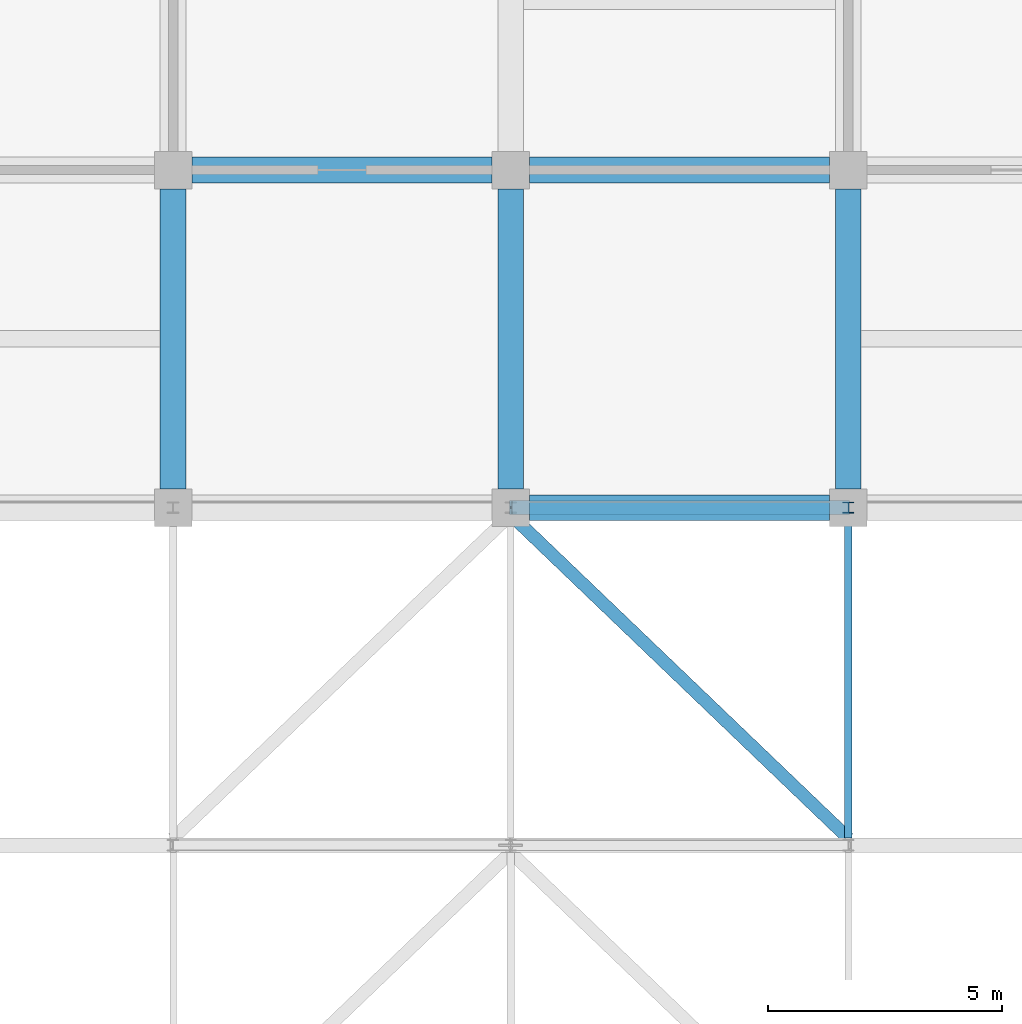
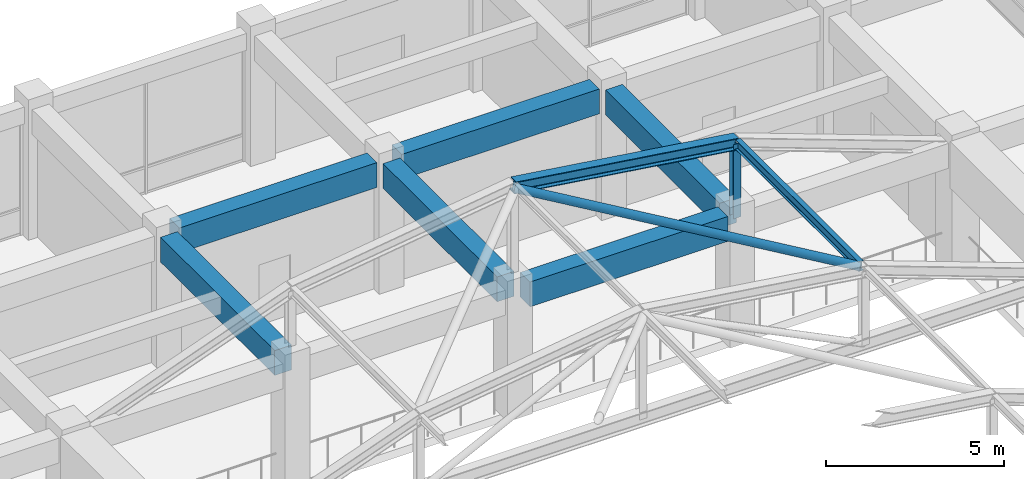
# One storey, part 44 of 75: 6 beams, 4 members.
"""IFC4 building model written with IfcOpenShell, lengths in metres."""

import ifcopenshell
import ifcopenshell.guid

model = None  # the IFC model being written
_history = None  # IfcOwnerHistory: only IFC2X3 demands one
_inside = {}  # id of a spatial element -> (the spatial element, [elements in it])
_under = {}  # id of a project, library or spatial element -> (it, [spatial elements below it])
_declared = {}  # id of a project -> (the project, [libraries it declares])
_typed = {}  # id of a type object -> (the type object, [elements of that type])
_made_of = {}  # id of a material, layer set ... -> (it, [elements and type objects made of it])


def new_model(schema):
    """Start an empty IFC model of exactly this schema.

    Asked for "IFC4X3", IfcOpenShell would pick the latest addendum, in which some entities
    have other attributes; the version numbers below select the first issue.
    IFC2X3 requires an IfcOwnerHistory on every rooted entity: one is made here for all.
    """
    global model, _history
    if schema == "IFC4X3":
        model = ifcopenshell.file(schema_version=(4, 3, 0, 0))
    else:
        model = ifcopenshell.file(schema=schema)
    _inside.clear()
    _under.clear()
    _declared.clear()
    _typed.clear()
    _made_of.clear()
    _history = None
    if model.schema == "IFC2X3":
        org = make("IfcOrganization", Name="unknown")
        user = make(
            "IfcPersonAndOrganization",
            ThePerson=make("IfcPerson", FamilyName="unknown"),
            TheOrganization=org,
        )
        app = make(
            "IfcApplication",
            ApplicationDeveloper=org,
            Version="unknown",
            ApplicationFullName="unknown",
            ApplicationIdentifier="unknown",
        )
        _history = make(
            "IfcOwnerHistory",
            OwningUser=user,
            OwningApplication=app,
            ChangeAction="ADDED",
            CreationDate=0,
        )
    return model


def make(cls, **values):
    """One entity of the class cls with the attributes given. An attribute that is None is left unset."""
    return model.create_entity(
        cls, **{name: value for name, value in values.items() if value is not None}
    )


def rooted(cls, **values):
    """An entity with a GlobalId (a new one), such as an element, a storey or a relation."""
    return make(cls, GlobalId=ifcopenshell.guid.new(), OwnerHistory=_history, **values)


def si_unit(unit_type, name, prefix=None):
    """IfcSIUnit, for example si_unit("LENGTHUNIT", "METRE", prefix="MILLI")."""
    return make("IfcSIUnit", UnitType=unit_type, Prefix=prefix, Name=name)


def assignment(units):
    """IfcUnitAssignment: the units of a project."""
    return None if units is None else make("IfcUnitAssignment", Units=units)


def point(xyz):
    """IfcCartesianPoint."""
    return None if xyz is None else make("IfcCartesianPoint", Coordinates=xyz)


def direction(xyz):
    """IfcDirection."""
    return None if xyz is None else make("IfcDirection", DirectionRatios=xyz)


def frame(location, z_axis=None, x_axis=None):
    """IfcAxis2Placement3D, a coordinate frame: its origin and axes. An axis left out is left unset."""
    return make(
        "IfcAxis2Placement3D",
        Location=point(location),
        Axis=direction(z_axis),
        RefDirection=direction(x_axis),
    )


def frame_2d(location, x_axis=None):
    """IfcAxis2Placement2D, a coordinate frame in the plane: its origin and x axis."""
    return make(
        "IfcAxis2Placement2D", Location=point(location), RefDirection=direction(x_axis)
    )


def origin():
    """The frame at (0, 0, 0) with its axes left unset."""
    return frame((0.0, 0.0, 0.0))


def origin_2d():
    """The frame at (0, 0) in the plane with its x axis left unset."""
    return frame_2d((0.0, 0.0))


def place(relative_to, where):
    """IfcLocalPlacement: puts the frame where relative to a parent placement (None: the world)."""
    return make(
        "IfcLocalPlacement", PlacementRelTo=relative_to, RelativePlacement=where
    )


def context(
    kind, dimensions, precision=None, world=None, true_north=None, identifier=None
):
    """IfcGeometricRepresentationContext, for example the 3D "Model" context."""
    return make(
        "IfcGeometricRepresentationContext",
        ContextIdentifier=identifier,
        ContextType=kind,
        CoordinateSpaceDimension=dimensions,
        Precision=precision,
        WorldCoordinateSystem=world,
        TrueNorth=true_north,
    )


def subcontext(parent, identifier, kind, view, scale=None):
    """IfcGeometricRepresentationSubContext, for example "Body" below "Model"."""
    return make(
        "IfcGeometricRepresentationSubContext",
        ContextIdentifier=identifier,
        ContextType=kind,
        ParentContext=parent,
        TargetScale=scale,
        TargetView=view,
    )


def project(units=None, contexts=None):
    """IfcProject with its units and contexts."""
    return rooted(
        "IfcProject",
        Name="project",
        RepresentationContexts=contexts,
        UnitsInContext=assignment(units),
    )


def spatial(cls, under=None, at=None, **own):
    """A site, building, storey or space (cls), placed at a placement, below another one or the project."""
    s = rooted(cls, ObjectPlacement=at, **own)
    if under is not None:
        _under.setdefault(under.id(), (under, []))[1].append(s)
    return s


def profile(cls, at=None, kind="AREA", **sizes):
    """A parametric profile (cls). Its sizes go by their IFC names, for example OverallWidth=200.0."""
    return make(cls, ProfileType=kind, Position=at, **sizes)


def rectangle(**sizes):
    """IfcRectangleProfileDef."""
    return profile("IfcRectangleProfileDef", **sizes)


def hollow_circle(**sizes):
    """IfcCircleHollowProfileDef."""
    return profile("IfcCircleHollowProfileDef", **sizes)


def i_section(**sizes):
    """IfcIShapeProfileDef."""
    return profile("IfcIShapeProfileDef", **sizes)


def extrude(swept, where, along, depth):
    """IfcExtrudedAreaSolid: the profile swept, set in the frame where, extruded along a direction by depth."""
    return make(
        "IfcExtrudedAreaSolid",
        SweptArea=swept,
        Position=where,
        ExtrudedDirection=direction(along),
        Depth=depth,
    )


def shape(context_of_items, identifier, shape_type, items):
    """IfcShapeRepresentation: the items that make up one representation, for example the "Body"."""
    return make(
        "IfcShapeRepresentation",
        ContextOfItems=context_of_items,
        RepresentationIdentifier=identifier,
        RepresentationType=shape_type,
        Items=items,
    )


def material(Name=None, Category=None):
    """IfcMaterial."""
    return make("IfcMaterial", Name=Name, Category=Category)


def material_profile(
    of_material, cross_section, Name=None, Category=None, Priority=None
):
    """IfcMaterialProfile: a cross section and its material."""
    return make(
        "IfcMaterialProfile",
        Name=Name,
        Material=of_material,
        Profile=cross_section,
        Priority=Priority,
        Category=Category,
    )


def profile_set(profiles, Name=None, composite=None):
    """IfcMaterialProfileSet."""
    return make(
        "IfcMaterialProfileSet",
        Name=Name,
        MaterialProfiles=profiles,
        CompositeProfile=composite,
    )


def made_of(thing, what):
    """Note that an element or type object is made of a material, layer set ...; save() writes the relation."""
    if what is not None:
        _made_of.setdefault(what.id(), (what, []))[1].append(thing)
    return thing


def type_object(cls, material=None, **own):
    """A type object (cls), such as IfcWallType, which elements share."""
    return made_of(rooted(cls, **own), material)


def element(
    cls,
    number,
    at=None,
    inside=None,
    cuts=None,
    type_object=None,
    material=None,
    context=None,
    identifier="Body",
    shape_type=None,
    held_by="IfcProductDefinitionShape",
    body=None,
    shapes=None,
    **own,
):
    """One element of the class cls, such as IfcWall. Its Tag is "e" and its number.

    at: its placement. inside: the storey or other place that contains it. cuts: it is an
    opening in that element (IfcRelVoidsElement). A single representation is given by context,
    identifier, shape_type and body (its items); several are given by shapes. held_by: the class
    of the entity that holds the representations. save() writes the other relations.
    """
    e = rooted(cls, Tag="e%d" % number, ObjectPlacement=at, **own)
    if body is not None:
        shapes = [shape(context, identifier, shape_type, body)]
    if shapes is not None:
        e.Representation = make(held_by, Representations=shapes)
    if inside is not None:
        _inside.setdefault(inside.id(), (inside, []))[1].append(e)
    if cuts is not None:
        rooted(
            "IfcRelVoidsElement", RelatingBuildingElement=cuts, RelatedOpeningElement=e
        )
    if type_object is not None:
        _typed.setdefault(type_object.id(), (type_object, []))[1].append(e)
    return made_of(e, material)


def aggregate(whole, parts):
    """IfcRelAggregates: a whole, such as a stair, and the parts it consists of."""
    return rooted("IfcRelAggregates", RelatingObject=whole, RelatedObjects=parts)


def save(model, path):
    """Write the relations noted so far, then the file.

    IfcRelAggregates (storeys below a building ...), IfcRelContainedInSpatialStructure (elements
    in a storey), IfcRelDefinesByType, IfcRelAssociatesMaterial and IfcRelDeclares: one each for
    every whole, place, type object, material and project.
    """
    for whole, parts in _under.values():
        aggregate(whole, parts)
    for where, things in _inside.values():
        rooted(
            "IfcRelContainedInSpatialStructure",
            RelatedElements=things,
            RelatingStructure=where,
        )
    for kind, things in _typed.values():
        rooted("IfcRelDefinesByType", RelatedObjects=things, RelatingType=kind)
    for what, things in _made_of.values():
        rooted("IfcRelAssociatesMaterial", RelatedObjects=things, RelatingMaterial=what)
    for by, libraries in _declared.values():
        rooted("IfcRelDeclares", RelatingContext=by, RelatedDefinitions=libraries)
    model.write(path)


model = new_model("IFC4")

# Units and contexts
model_context = context("Model", 3, precision=1e-05, world=origin(), true_north=direction((0.0, 1.0)))
body_context = subcontext(model_context, "Body", "Model", "MODEL_VIEW")
ifc_project = project(units=[si_unit("LENGTHUNIT", "METRE"), si_unit("AREAUNIT", "SQUARE_METRE"), si_unit("VOLUMEUNIT", "CUBIC_METRE"), si_unit("PLANEANGLEUNIT", "RADIAN"), si_unit("MASSUNIT", "GRAM", prefix="KILO")], contexts=[model_context])

# Site, building, storey
site_placement = place(None, origin())
site = spatial("IfcSite", under=ifc_project, at=site_placement, CompositionType="ELEMENT")
building_placement = place(site_placement, origin())
building = spatial("IfcBuilding", under=site, at=building_placement, Name="Cendaluz Park School", CompositionType="ELEMENT")
storey_placement = place(building_placement, frame((0.0, 0.0, 4.800048828125)))
storey = spatial("IfcBuildingStorey", under=building, at=storey_placement, Name="L01", CompositionType="ELEMENT", Elevation=4.800048828125)

# Beams
ifc_material_1 = material(Name="Concrete C40/50", Category="concrete")
ifc_material_profile_1 = material_profile(ifc_material_1, rectangle(XDim=0.550048828125, YDim=0.85009765625, at=origin_2d()), Name="RC 550x850", Category="concrete")
ifc_profile_set_1 = profile_set([ifc_material_profile_1], Name="Concrete C40/50")
beam_type = type_object("IfcBeamType", Name="BM-RC01", PredefinedType="BEAM", material=ifc_profile_set_1)
beam_placement = place(storey_placement, frame((144.39990234375, 108.0, 4.0048828125), z_axis=(1.0, 0.0, 0.0), x_axis=(0.0, 1.0, 0.0)))
element("IfcBeam", 1, at=beam_placement, inside=storey, type_object=beam_type, Name="BM-L01-BMRC01-0191", PredefinedType="BEAM", context=body_context, shape_type="SweptSolid", body=[
    extrude(rectangle(XDim=0.550048828125, YDim=0.85009765625, at=origin_2d()), origin(), (0.0, 0.0, 1.0), 6.400146484375),
])
for number, where, z_axis, x_axis, name in (
    (2, (151.60009765625, 100.800048828125, 4.0048828125), (1.0, 0.0, 0.0), (0.0, 1.0, 0.0), "BM-L01-BMRC01-0199"),
    (3, (151.60009765625, 108.0, 4.0048828125), (1.0, 0.0, 0.0), (0.0, 1.0, 0.0), "BM-L01-BMRC01-0200"),
):
    element("IfcBeam", number, at=place(storey_placement, frame(where, z_axis=z_axis, x_axis=x_axis)), inside=storey, type_object=beam_type, Name=name, PredefinedType="BEAM", context=body_context, shape_type="SweptSolid", body=[
        extrude(rectangle(XDim=0.550048828125, YDim=0.85009765625, at=origin_2d()), origin(), (0.0, 0.0, 1.0), 6.39990234375),
    ])
for number, where, z_axis, x_axis, name in (
    (4, (144.0, 101.199951171875, 4.0048828125), (0.0, 1.0, 0.0), (-1.0, 0.0, 0.0), "BM-L01-BMRC01-0427"),
    (5, (151.199951171875, 101.199951171875, 4.0048828125), (0.0, 1.0, 0.0), (-1.0, 0.0, 0.0), "BM-L01-BMRC01-0433"),
    (6, (158.39990234375, 101.199951171875, 4.0048828125), (0.0, 1.0, 0.0), (-1.0, 0.0, 0.0), "BM-L01-BMRC01-0439"),
):
    element("IfcBeam", number, at=place(storey_placement, frame(where, z_axis=z_axis, x_axis=x_axis)), inside=storey, type_object=beam_type, Name=name, PredefinedType="BEAM", context=body_context, shape_type="SweptSolid", body=[
        extrude(rectangle(XDim=0.550048828125, YDim=0.85009765625, at=origin_2d()), origin(), (0.0, 0.0, 1.0), 6.400146484375),
    ])

# Members
ifc_material_2 = material(Name="Steel S355", Category="steel")
ifc_material_profile_2 = material_profile(ifc_material_2, i_section(OverallWidth=0.300048828125, OverallDepth=0.39990234375, WebThickness=0.013916015625, FlangeThickness=0.02392578125, FilletRadius=0.027099609375, at=origin_2d()), Name="HEB 400", Category="steel")
ifc_profile_set_2 = profile_set([ifc_material_profile_2], Name="Steel S355")
member_type_1 = type_object("IfcMemberType", Name="MB-CH01", PredefinedType="CHORD", material=ifc_profile_set_2)
member_1_placement = place(storey_placement, frame((151.199951171875, 100.800048828125, 7.7099609375), z_axis=(0.990113333567, 0.0, -0.140269692708), x_axis=(0.0, 1.0, 0.0)))
element("IfcMember", 7, at=member_1_placement, inside=storey, type_object=member_type_1, Name="MB-L01-MBCH01-0142", PredefinedType="CHORD", context=body_context, shape_type="SweptSolid", body=[
    extrude(i_section(OverallWidth=0.300048828125, OverallDepth=0.39990234375, WebThickness=0.013916015625, FlangeThickness=0.02392578125, FilletRadius=0.027099609375, at=origin_2d()), origin(), (0.0, 0.0, 1.0), 7.271728515625),
])
ifc_material_profile_3 = material_profile(ifc_material_2, i_section(OverallWidth=0.159912109375, OverallDepth=0.330078125, WebThickness=0.008056640625, FlangeThickness=0.011962890625, FilletRadius=0.01806640625, at=origin_2d()), Name="IPE 330", Category="steel")
ifc_profile_set_3 = profile_set([ifc_material_profile_3], Name="Steel S355")
member_type_2 = type_object("IfcMemberType", Name="MB-PR02", PredefinedType="PURLIN", material=ifc_profile_set_3)
member_2_placement = place(storey_placement, frame((158.39990234375, 93.75, 6.704833984375), z_axis=(0.0, 1.0, 0.0), x_axis=(-1.0, 0.0, 0.0)))
element("IfcMember", 8, at=member_2_placement, inside=storey, type_object=member_type_2, Name="MB-L01-MBPR02-0172", PredefinedType="PURLIN", context=body_context, shape_type="SweptSolid", body=[
    extrude(i_section(OverallWidth=0.159912109375, OverallDepth=0.330078125, WebThickness=0.008056640625, FlangeThickness=0.011962890625, FilletRadius=0.01806640625, at=origin_2d()), origin(), (0.0, 0.0, 1.0), 6.89990234375),
])
ifc_material_profile_4 = material_profile(ifc_material_2, hollow_circle(Radius=0.136474609375, WallThickness=0.011962890625, at=origin_2d()), Name="CHS 273x12", Category="steel")
ifc_profile_set_4 = profile_set([ifc_material_profile_4], Name="Steel S355")
member_type_3 = type_object("IfcMemberType", Name="MBR-01", PredefinedType="BRACE", material=ifc_profile_set_4)
member_3_placement = place(storey_placement, frame((158.39990234375, 93.75, 6.68994140625), z_axis=(-0.718243342444, 0.688311462621, 0.101753778601), x_axis=(-0.691902704581, -0.721990752983, 0.0)))
element("IfcMember", 9, at=member_3_placement, inside=storey, type_object=member_type_3, Name="MB-L01-MBBR01-0174", PredefinedType="BRACE", context=body_context, shape_type="SweptSolid", body=[
    extrude(hollow_circle(Radius=0.136474609375, WallThickness=0.011962890625, at=origin_2d()), origin(), (0.0, 0.0, 1.0), 10.0244140625),
])
ifc_material_profile_5 = material_profile(ifc_material_2, i_section(OverallWidth=0.239990234375, OverallDepth=0.22998046875, WebThickness=0.008056640625, FlangeThickness=0.011962890625, FilletRadius=0.02099609375, at=origin_2d()), Name="HEA 240", Category="steel")
ifc_profile_set_5 = profile_set([ifc_material_profile_5], Name="Steel S355")
member_type_4 = type_object("IfcMemberType", Name="MST-01", PredefinedType="STRUT", material=ifc_profile_set_5)
member_4_placement = place(storey_placement, frame((158.39990234375, 100.800048828125, 4.14990234375), z_axis=(0.0, 0.0, 1.0), x_axis=(1.0, 0.0, 0.0)))
element("IfcMember", 10, at=member_4_placement, inside=storey, type_object=member_type_4, Name="MB-L01-MBST01-0146", PredefinedType="STRUT", context=body_context, shape_type="SweptSolid", body=[
    extrude(i_section(OverallWidth=0.239990234375, OverallDepth=0.22998046875, WebThickness=0.008056640625, FlangeThickness=0.011962890625, FilletRadius=0.02099609375, at=origin_2d()), origin(), (0.0, 0.0, 1.0), 2.5400390625),
])

save(model, "model.ifc")
